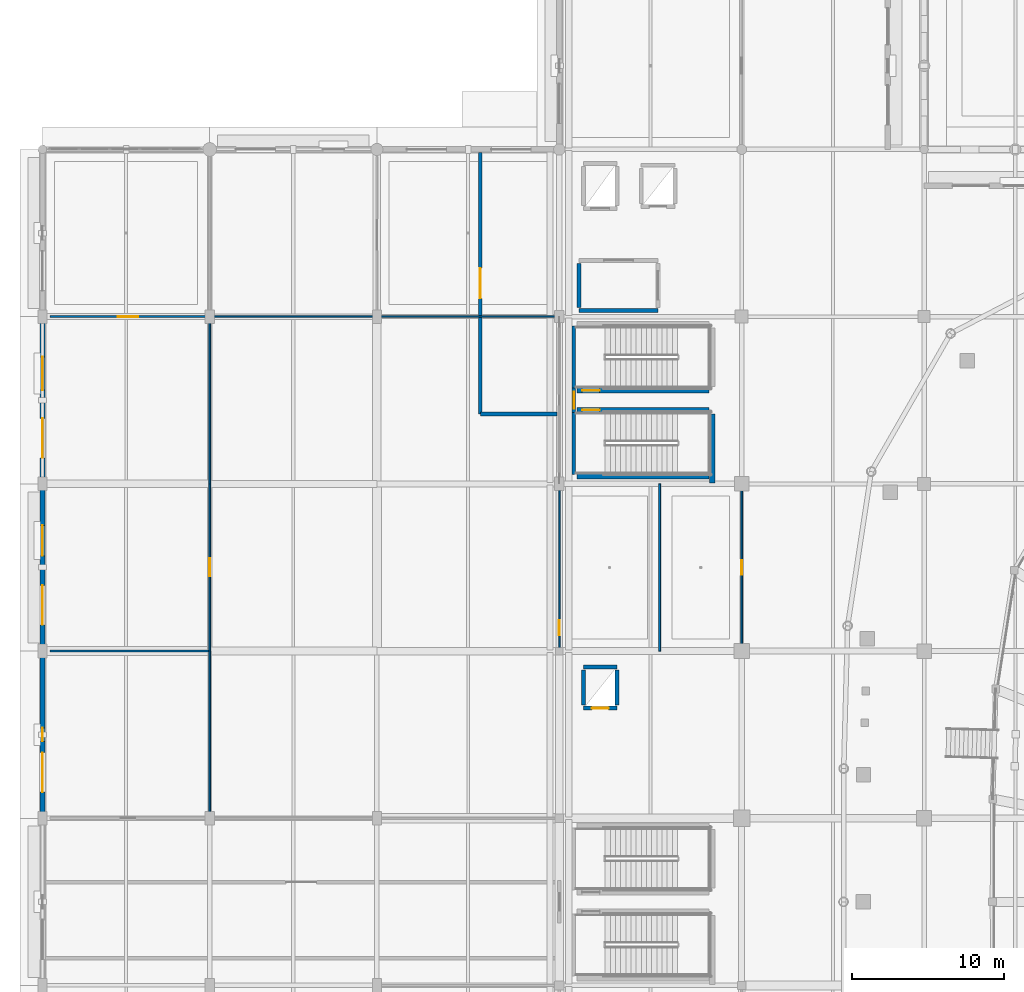
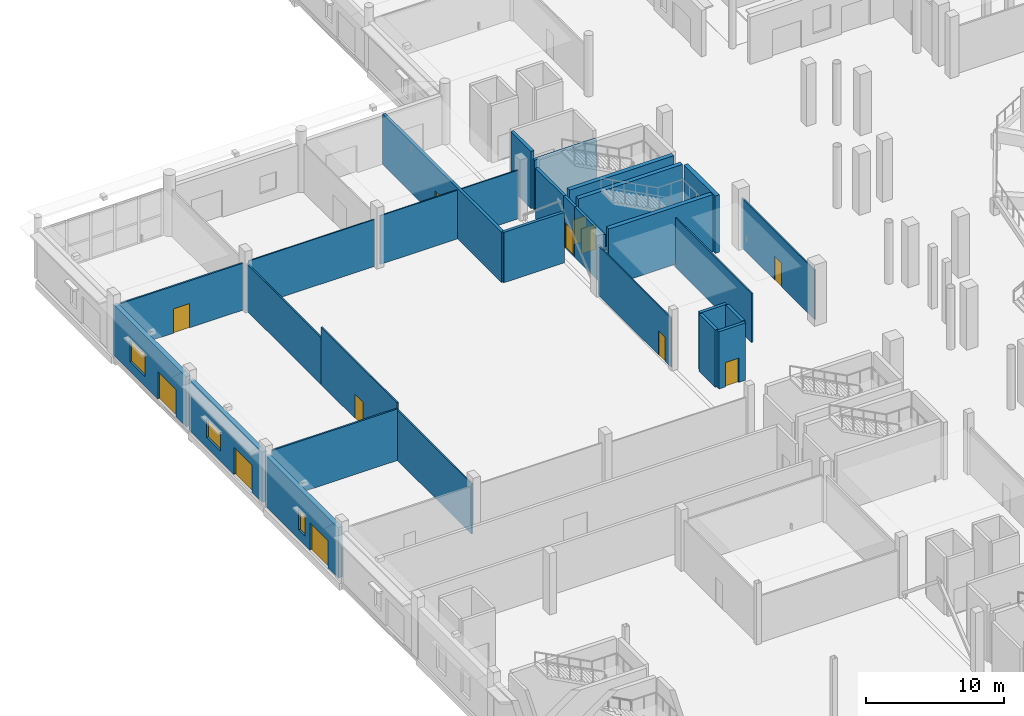
# One storey, part 59 of 120: 28 walls, 12 doors, 3 windows, 15 openings.
"""IFC4 building model written with IfcOpenShell, lengths in metres."""

from ifc_helpers import new_model, si_unit, direction, frame, frame_2d, origin, place, context, subcontext, project, spatial, rectangle, extrude, material, layer, layer_set, type_object, element, fill, save


model = new_model("IFC4")

# Units and contexts
model_context = context("Model", 3, precision=1e-05, world=origin(), true_north=direction((0.0, 1.0)))
body_context = subcontext(model_context, "Body", "Model", "MODEL_VIEW")
ifc_project = project(units=[si_unit("LENGTHUNIT", "METRE"), si_unit("AREAUNIT", "SQUARE_METRE"), si_unit("VOLUMEUNIT", "CUBIC_METRE"), si_unit("PLANEANGLEUNIT", "RADIAN"), si_unit("MASSUNIT", "GRAM", prefix="KILO")], contexts=[model_context])

# Site, building, storey
site_placement = place(None, origin())
site = spatial("IfcSite", under=ifc_project, at=site_placement, CompositionType="ELEMENT")
building_placement = place(site_placement, origin())
building = spatial("IfcBuilding", under=site, at=building_placement, Name="Luwafu Chhajja Arena", CompositionType="ELEMENT")
storey_placement = place(building_placement, origin())
storey = spatial("IfcBuildingStorey", under=building, at=storey_placement, Name="L00", CompositionType="ELEMENT", Elevation=0.0)

# Wall, opening, door
ifc_material_1 = material(Name="Concrete blockwork masonry", Category="masonry")
ifc_layer_1 = layer(ifc_material_1, 0.239990234375, Name="Concrete blockwork masonry")
ifc_layer_set_1 = layer_set([ifc_layer_1], Name="Concrete blockwork masonry")
wall_type_1 = type_object("IfcWallType", Name="Compartment Masonry Partition 240", PredefinedType="PARTITIONING", material=ifc_layer_set_1)
wall_1_placement = place(storey_placement, frame((28.800048828125, 81.60009765625, 0.0), z_axis=(0.0, 0.0, 1.0), x_axis=(0.0, 1.0, 0.0)))
wall_1 = element("IfcWall", 1, at=wall_1_placement, inside=storey, type_object=wall_type_1, Name="L00 Protected Exit Passageway EI 120 Wall WXP-C3-W", PredefinedType="PARTITIONING", context=body_context, shape_type="SweptSolid", body=[
    extrude(rectangle(XDim=17.199951171875, YDim=0.239990234375, at=frame_2d((8.60009765625, 0.0))), origin(), (0.0, 0.0, 1.0), 4.449951171875),
])
opening_1_placement = place(wall_1_placement, frame((7.60009765625, 0.0, 0.0)))
opening_1 = element("IfcOpeningElement", 2, at=opening_1_placement, cuts=wall_1, Name="Opening DR-08", PredefinedType="OPENING", context=body_context, shape_type="SweptSolid", body=[
    extrude(rectangle(XDim=2.0, YDim=2.25, at=frame_2d((1.0, 1.125))), frame((0.0, 0.1298828125, 0.0), z_axis=(0.0, -1.0, 0.0), x_axis=(1.0, 0.0, 0.0)), (0.0, 0.0, 1.0), 0.260009765625),
])
ifc_material_2 = material(Name="Fire-rated hardwood double leaf", Category="wood")
door_type_1 = type_object("IfcDoorType", Name="DR-08", OperationType="DOUBLE_DOOR_SINGLE_SWING", PredefinedType="DOOR", material=ifc_material_2)
door_1_placement = place(opening_1_placement, origin())
door_1 = element("IfcDoor", 3, at=door_1_placement, inside=storey, type_object=door_type_1, Name="L00 Protected Exit Passageway Fire Door L00-D069", OperationType="DOUBLE_DOOR_SINGLE_SWING", OverallHeight=2.25, OverallWidth=2.0, PredefinedType="DOOR", context=body_context, shape_type="SweptSolid", body=[
    extrude(rectangle(XDim=2.0, YDim=2.25, at=frame_2d((1.0, 1.125))), frame((0.0, 0.02490234375, 0.0), z_axis=(0.0, -1.0, 0.0), x_axis=(1.0, 0.0, 0.0)), (0.0, 0.0, 1.0), 0.050048828125),
])
fill(opening_1, door_1)

# Wall
wall_2_placement = place(storey_placement, frame((28.800048828125, 81.60009765625, 0.0), z_axis=(0.0, 0.0, 1.0), x_axis=(1.0, 0.0, 0.0)))
element("IfcWall", 4, at=wall_2_placement, inside=storey, type_object=wall_type_1, Name="L00 Protected Exit Passageway EI 120 Wall WXP-C3-S", PredefinedType="PARTITIONING", context=body_context, shape_type="SweptSolid", body=[
    extrude(rectangle(XDim=5.050048828125, YDim=0.239990234375, at=frame_2d((2.52490234375, 0.0))), origin(), (0.0, 0.0, 1.0), 4.449951171875),
])

# Wall, opening, door
wall_3_placement = place(storey_placement, frame((34.9599609375, 81.7099609375, 0.0), z_axis=(0.0, 0.0, 1.0), x_axis=(0.0, 1.0, 0.0)))
wall_3 = element("IfcWall", 5, at=wall_3_placement, inside=storey, type_object=wall_type_1, Name="L00 Protected Exit Corridor Mouth Wall WXP-M-C3", PredefinedType="PARTITIONING", context=body_context, shape_type="SweptSolid", body=[
    extrude(rectangle(XDim=1.580078125, YDim=0.239990234375, at=frame_2d((0.7900390625, 0.0))), origin(), (0.0, 0.0, 1.0), 4.449951171875),
])
opening_2_placement = place(wall_3_placement, frame((0.215087890625, 0.0, 0.0)))
opening_2 = element("IfcOpeningElement", 6, at=opening_2_placement, cuts=wall_3, Name="Opening DR-06", PredefinedType="OPENING", context=body_context, shape_type="SweptSolid", body=[
    extrude(rectangle(XDim=1.14990234375, YDim=2.199951171875, at=frame_2d((0.574951171875, 1.10009765625))), frame((0.0, 0.1298828125, 0.0), z_axis=(0.0, -1.0, 0.0), x_axis=(1.0, 0.0, 0.0)), (0.0, 0.0, 1.0), 0.260009765625),
])
ifc_material_3 = material(Name="Fire-rated hardwood and steel core", Category="steel")
door_type_2 = type_object("IfcDoorType", Name="DR-06", OperationType="NOTDEFINED", PredefinedType="DOOR", material=ifc_material_3)
door_2_placement = place(opening_2_placement, origin())
door_2 = element("IfcDoor", 7, at=door_2_placement, inside=storey, type_object=door_type_2, Name="L00 Protected Exit Corridor Fire Door L00-D081", OperationType="SINGLE_SWING_LEFT", OverallHeight=2.199951171875, OverallWidth=1.14990234375, PredefinedType="DOOR", context=body_context, shape_type="SweptSolid", body=[
    extrude(rectangle(XDim=1.14990234375, YDim=2.199951171875, at=frame_2d((0.574951171875, 1.10009765625))), frame((0.0, 0.02490234375, 0.0), z_axis=(0.0, -1.0, 0.0), x_axis=(1.0, 0.0, 0.0)), (0.0, 0.0, 1.0), 0.050048828125),
])
fill(opening_2, door_2)

# Wall
ifc_material_4 = material(Name="Lightweight blockwork partition", Category="masonry")
ifc_layer_2 = layer(ifc_material_4, 0.139892578125, Name="Lightweight blockwork partition")
ifc_layer_set_2 = layer_set([ifc_layer_2], Name="Lightweight blockwork partition")
wall_type_2 = type_object("IfcWallType", Name="Concourse Kiosk Partition 140", PredefinedType="PARTITIONING", material=ifc_layer_set_2)
wall_4_placement = place(storey_placement, frame((0.47998046875, 66.0, 0.0), z_axis=(0.0, 0.0, 1.0), x_axis=(1.0, 0.0, 0.0)))
element("IfcWall", 8, at=wall_4_placement, inside=storey, type_object=wall_type_2, Name="L00 Internal Partition 0146", PredefinedType="PARTITIONING", context=body_context, shape_type="SweptSolid", body=[
    extrude(rectangle(XDim=10.52001953125, YDim=0.139892578125, at=frame_2d((5.260009765625, 0.0))), origin(), (0.0, 0.0, 1.0), 4.550048828125),
])

# Wall, opening, door
wall_5_placement = place(storey_placement, frame((0.47998046875, 88.0, 0.0), z_axis=(0.0, 0.0, 1.0), x_axis=(1.0, 0.0, 0.0)))
wall_5 = element("IfcWall", 9, at=wall_5_placement, inside=storey, type_object=wall_type_2, Name="L00 Internal Partition 0147", PredefinedType="PARTITIONING", context=body_context, shape_type="SweptSolid", body=[
    extrude(rectangle(XDim=10.300048828125, YDim=0.139892578125, at=frame_2d((5.14990234375, 0.0))), origin(), (0.0, 0.0, 1.0), 4.14990234375),
])
opening_3_placement = place(wall_5_placement, frame((4.47998046875, 0.0, 0.0)))
opening_3 = element("IfcOpeningElement", 10, at=opening_3_placement, cuts=wall_5, Name="Opening DR-26", PredefinedType="OPENING", context=body_context, shape_type="SweptSolid", body=[
    extrude(rectangle(XDim=1.340087890625, YDim=2.14990234375, at=frame_2d((0.669921875, 1.074951171875))), frame((0.0, 0.079833984375, 0.0), z_axis=(0.0, -1.0, 0.0), x_axis=(1.0, 0.0, 0.0)), (0.0, 0.0, 1.0), 0.159912109375),
])
ifc_material_5 = material(Name="Hardwood service leaf", Category="wood")
door_type_3 = type_object("IfcDoorType", Name="DR-26", OperationType="NOTDEFINED", PredefinedType="DOOR", material=ifc_material_5)
door_3_placement = place(opening_3_placement, origin())
door_3 = element("IfcDoor", 11, at=door_3_placement, inside=storey, type_object=door_type_3, Name="L00 Interior Door L00-D031", OperationType="SINGLE_SWING_RIGHT", OverallHeight=2.14990234375, OverallWidth=1.340087890625, PredefinedType="DOOR", context=body_context, shape_type="SweptSolid", body=[
    extrude(rectangle(XDim=1.340087890625, YDim=2.14990234375, at=frame_2d((0.669921875, 1.074951171875))), frame((0.0, 0.02490234375, 0.0), z_axis=(0.0, -1.0, 0.0), x_axis=(1.0, 0.0, 0.0)), (0.0, 0.0, 1.0), 0.050048828125),
])
fill(opening_3, door_3)

# Walls
ifc_material_6 = material(Name="Gypsum plasterboard partition")
ifc_layer_3 = layer(ifc_material_6, 0.10009765625, Name="Gypsum plasterboard partition")
ifc_layer_set_3 = layer_set([ifc_layer_3], Name="Gypsum plasterboard partition")
wall_type_3 = type_object("IfcWallType", Name="Drywall Lining Partition 100", PredefinedType="PARTITIONING", material=ifc_layer_set_3)
wall_6_placement = place(storey_placement, frame((11.219970703125, 88.0, 0.0), z_axis=(0.0, 0.0, 1.0), x_axis=(1.0, 0.0, 0.0)))
element("IfcWall", 12, at=wall_6_placement, inside=storey, type_object=wall_type_3, Name="L00 Internal Partition 0143", PredefinedType="PARTITIONING", context=body_context, shape_type="SweptSolid", body=[
    extrude(rectangle(XDim=10.56005859375, YDim=0.10009765625, at=frame_2d((5.280029296875, 0.0))), origin(), (0.0, 0.0, 1.0), 4.14990234375),
])
wall_7_placement = place(storey_placement, frame((22.219970703125, 88.0, 0.0), z_axis=(0.0, 0.0, 1.0), x_axis=(1.0, 0.0, 0.0)))
element("IfcWall", 13, at=wall_7_placement, inside=storey, type_object=wall_type_3, Name="L00 Internal Partition 0196", PredefinedType="PARTITIONING", context=body_context, shape_type="SweptSolid", body=[
    extrude(rectangle(XDim=11.56005859375, YDim=0.10009765625, at=frame_2d((5.780029296875, 0.0))), origin(), (0.0, 0.0, 1.0), 4.300048828125),
])

# Wall, opening, door
wall_8_placement = place(storey_placement, frame((34.0, 66.2099609375, 0.0), z_axis=(0.0, 0.0, 1.0), x_axis=(0.0, 1.0, 0.0)))
wall_8 = element("IfcWall", 14, at=wall_8_placement, inside=storey, type_object=wall_type_3, Name="L00 Internal Partition 0197", PredefinedType="PARTITIONING", context=body_context, shape_type="SweptSolid", body=[
    extrude(rectangle(XDim=10.570068359375, YDim=0.10009765625, at=frame_2d((5.28515625, 0.0))), origin(), (0.0, 0.0, 1.0), 4.35009765625),
])
opening_4_placement = place(wall_8_placement, frame((0.84130859375, 0.0, 0.0)))
opening_4 = element("IfcOpeningElement", 15, at=opening_4_placement, cuts=wall_8, Name="Opening DR-22", PredefinedType="OPENING", context=body_context, shape_type="SweptSolid", body=[
    extrude(rectangle(XDim=0.9599609375, YDim=2.14990234375, at=frame_2d((0.47998046875, 1.074951171875))), frame((0.0, 0.06005859375, 0.0), z_axis=(0.0, -1.0, 0.0), x_axis=(1.0, 0.0, 0.0)), (0.0, 0.0, 1.0), 0.1201171875),
])
ifc_material_7 = material(Name="Hardwood flush office door", Category="wood")
door_type_4 = type_object("IfcDoorType", Name="DR-22", OperationType="NOTDEFINED", PredefinedType="DOOR", material=ifc_material_7)
door_4_placement = place(opening_4_placement, origin())
door_4 = element("IfcDoor", 16, at=door_4_placement, inside=storey, type_object=door_type_4, Name="L00 Interior Door L00-D062", OperationType="SINGLE_SWING_RIGHT", OverallHeight=2.14990234375, OverallWidth=0.9599609375, PredefinedType="DOOR", context=body_context, shape_type="SweptSolid", body=[
    extrude(rectangle(XDim=0.9599609375, YDim=2.14990234375, at=frame_2d((0.47998046875, 1.074951171875))), frame((0.0, 0.02490234375, 0.0), z_axis=(0.0, -1.0, 0.0), x_axis=(1.0, 0.0, 0.0)), (0.0, 0.0, 1.0), 0.050048828125),
])
fill(opening_4, door_4)

# Walls
ifc_material_8 = material(Name="Concrete C40/50", Category="concrete")
ifc_layer_4 = layer(ifc_material_8, 0.260009765625, Name="Concrete C40/50")
ifc_layer_set_4 = layer_set([ifc_layer_4], Name="Concrete C40/50")
wall_type_4 = type_object("IfcWallType", Name="Firefighting Lobby Wall 260", PredefinedType="SOLIDWALL", material=ifc_layer_set_4)
wall_9_placement = place(storey_placement, frame((35.300048828125, 88.39990234375, 0.0), z_axis=(0.0, 0.0, 1.0), x_axis=(1.0, 0.0, 0.0)))
element("IfcWall", 17, at=wall_9_placement, inside=storey, type_object=wall_type_4, Name="L00 Core C3 Firefighting Lobby Wall S", PredefinedType="SOLIDWALL", context=body_context, shape_type="SweptSolid", body=[
    extrude(rectangle(XDim=5.199951171875, YDim=0.260009765625, at=frame_2d((2.60009765625, 0.0))), origin(), (0.0, 0.0, 1.0), 4.437744140625),
])
wall_10_placement = place(storey_placement, frame((35.300048828125, 88.60009765625, 0.0), z_axis=(0.0, 0.0, 1.0), x_axis=(0.0, 1.0, 0.0)))
element("IfcWall", 18, at=wall_10_placement, inside=storey, type_object=wall_type_4, Name="L00 Core C3 Firefighting Lobby Wall W", PredefinedType="SOLIDWALL", context=body_context, shape_type="SweptSolid", body=[
    extrude(rectangle(XDim=2.89990234375, YDim=0.260009765625, at=frame_2d((1.449951171875, 0.0))), origin(), (0.0, 0.0, 1.0), 5.06005859375),
])

# Wall, opening, door
ifc_material_9 = material(Name="Acoustic metal-stud gypsum board")
ifc_layer_5 = layer(ifc_material_9, 0.1201171875, Name="Acoustic metal-stud gypsum board")
ifc_layer_set_5 = layer_set([ifc_layer_5], Name="Acoustic metal-stud gypsum board")
wall_type_5 = type_object("IfcWallType", Name="Internal Room Partition 120", PredefinedType="PARTITIONING", material=ifc_layer_set_5)
wall_11_placement = place(storey_placement, frame((11.0, 66.0, 0.0), z_axis=(0.0, 0.0, 1.0), x_axis=(0.0, 1.0, 0.0)))
wall_11 = element("IfcWall", 19, at=wall_11_placement, inside=storey, type_object=wall_type_5, Name="L00 Internal Partition 0140", PredefinedType="PARTITIONING", context=body_context, shape_type="SweptSolid", body=[
    extrude(rectangle(XDim=11.0, YDim=0.1201171875, at=frame_2d((5.5, 0.0))), origin(), (0.0, 0.0, 1.0), 5.06005859375),
])
opening_5_placement = place(wall_11_placement, frame((4.909912109375, 0.0, 0.0)))
opening_5 = element("IfcOpeningElement", 20, at=opening_5_placement, cuts=wall_11, Name="Opening DR-21", PredefinedType="OPENING", context=body_context, shape_type="SweptSolid", body=[
    extrude(rectangle(XDim=1.179931640625, YDim=2.14990234375, at=frame_2d((0.58984375, 1.074951171875))), frame((0.0, 0.070068359375, 0.0), z_axis=(0.0, -1.0, 0.0), x_axis=(1.0, 0.0, 0.0)), (0.0, 0.0, 1.0), 0.14013671875),
])
ifc_material_10 = material(Name="Hygienic laminate single leaf")
door_type_5 = type_object("IfcDoorType", Name="DR-21", OperationType="NOTDEFINED", PredefinedType="DOOR", material=ifc_material_10)
door_5_placement = place(opening_5_placement, origin())
door_5 = element("IfcDoor", 21, at=door_5_placement, inside=storey, type_object=door_type_5, Name="L00 Interior Door L00-D029", OperationType="SINGLE_SWING_RIGHT", OverallHeight=2.14990234375, OverallWidth=1.179931640625, PredefinedType="DOOR", context=body_context, shape_type="SweptSolid", body=[
    extrude(rectangle(XDim=1.179931640625, YDim=2.14990234375, at=frame_2d((0.58984375, 1.074951171875))), frame((0.0, 0.02490234375, 0.0), z_axis=(0.0, -1.0, 0.0), x_axis=(1.0, 0.0, 0.0)), (0.0, 0.0, 1.0), 0.050048828125),
])
fill(opening_5, door_5)

# Wall
wall_12_placement = place(storey_placement, frame((11.0, 77.0, 0.0), z_axis=(0.0, 0.0, 1.0), x_axis=(0.0, 1.0, 0.0)))
element("IfcWall", 22, at=wall_12_placement, inside=storey, type_object=wall_type_5, Name="L00 Internal Partition 0141", PredefinedType="PARTITIONING", context=body_context, shape_type="SweptSolid", body=[
    extrude(rectangle(XDim=10.780029296875, YDim=0.1201171875, at=frame_2d((5.39013671875, 0.0))), origin(), (0.0, 0.0, 1.0), 4.14990234375),
])

# Wall, opening, door
wall_13_placement = place(storey_placement, frame((46.0, 66.219970703125, 0.0), z_axis=(0.0, 0.0, 1.0), x_axis=(0.0, 1.0, 0.0)))
wall_13 = element("IfcWall", 23, at=wall_13_placement, inside=storey, type_object=wall_type_5, Name="L00 Internal Partition 0158", PredefinedType="PARTITIONING", context=body_context, shape_type="SweptSolid", body=[
    extrude(rectangle(XDim=10.56005859375, YDim=0.1201171875, at=frame_2d((5.280029296875, 0.0))), origin(), (0.0, 0.0, 1.0), 4.35009765625),
])
opening_6_placement = place(wall_13_placement, frame((4.7900390625, 0.0, 0.0)))
opening_6 = element("IfcOpeningElement", 24, at=opening_6_placement, cuts=wall_13, Name="Opening DR-27", PredefinedType="OPENING", context=body_context, shape_type="SweptSolid", body=[
    extrude(rectangle(XDim=0.97998046875, YDim=2.10009765625, at=frame_2d((0.489990234375, 1.050048828125))), frame((0.0, 0.070068359375, 0.0), z_axis=(0.0, -1.0, 0.0), x_axis=(1.0, 0.0, 0.0)), (0.0, 0.0, 1.0), 0.14013671875),
])
ifc_material_11 = material(Name="Moisture-resistant laminate leaf")
door_type_6 = type_object("IfcDoorType", Name="DR-27", OperationType="NOTDEFINED", PredefinedType="DOOR", material=ifc_material_11)
door_6_placement = place(opening_6_placement, origin())
door_6 = element("IfcDoor", 25, at=door_6_placement, inside=storey, type_object=door_type_6, Name="L00 Interior Door L00-D039", OperationType="SINGLE_SWING_LEFT", OverallHeight=2.10009765625, OverallWidth=0.97998046875, PredefinedType="DOOR", context=body_context, shape_type="SweptSolid", body=[
    extrude(rectangle(XDim=0.97998046875, YDim=2.10009765625, at=frame_2d((0.489990234375, 1.050048828125))), frame((0.0, 0.02490234375, 0.0), z_axis=(0.0, -1.0, 0.0), x_axis=(1.0, 0.0, 0.0)), (0.0, 0.0, 1.0), 0.050048828125),
])
fill(opening_6, door_6)

# Walls
wall_14_placement = place(storey_placement, frame((11.0, 55.219970703125, 0.0), z_axis=(0.0, 0.0, 1.0), x_axis=(0.0, 1.0, 0.0)))
element("IfcWall", 26, at=wall_14_placement, inside=storey, type_object=wall_type_5, Name="L00 Internal Partition 0195", PredefinedType="PARTITIONING", context=body_context, shape_type="SweptSolid", body=[
    extrude(rectangle(XDim=10.780029296875, YDim=0.1201171875, at=frame_2d((5.39013671875, 0.0))), origin(), (0.0, 0.0, 1.0), 4.437744140625),
])
wall_15_placement = place(storey_placement, frame((40.60009765625, 66.0, 0.0), z_axis=(0.0, 0.0, 1.0), x_axis=(0.0, 1.0, 0.0)))
element("IfcWall", 27, at=wall_15_placement, inside=storey, type_object=wall_type_5, Name="L00 Internal Partition 0202", PredefinedType="PARTITIONING", context=body_context, shape_type="SweptSolid", body=[
    extrude(rectangle(XDim=11.0, YDim=0.1201171875, at=frame_2d((5.5, 0.0))), origin(), (0.0, 0.0, 1.0), 4.35009765625),
])

# Wall, opening, door
ifc_material_12 = material(Name="Concrete C35/45", Category="concrete")
ifc_layer_6 = layer(ifc_material_12, 0.260009765625, Name="Concrete C35/45")
ifc_layer_set_6 = layer_set([ifc_layer_6], Name="Concrete C35/45")
wall_type_6 = type_object("IfcWallType", Name="Lift and Riser Shaft Wall 260", PredefinedType="SOLIDWALL", material=ifc_layer_set_6)
wall_16_placement = place(storey_placement, frame((35.590087890625, 62.239990234375, 0.0), z_axis=(0.0, 0.0, 1.0), x_axis=(1.0, 0.0, 0.0)))
wall_16 = element("IfcWall", 28, at=wall_16_placement, inside=storey, type_object=wall_type_6, Name="L00 Lift LF-09 Shaft Wall S", PredefinedType="SOLIDWALL", context=body_context, shape_type="SweptSolid", body=[
    extrude(rectangle(XDim=2.219970703125, YDim=0.260009765625, at=frame_2d((1.10986328125, 0.0))), origin(), (0.0, 0.0, 1.0), 5.06005859375),
])
opening_7_placement = place(wall_16_placement, frame((0.56005859375, 0.0, 0.0)))
opening_7 = element("IfcOpeningElement", 29, at=opening_7_placement, cuts=wall_16, Name="Opening LD-01", PredefinedType="OPENING", context=body_context, shape_type="SweptSolid", body=[
    extrude(rectangle(XDim=1.10009765625, YDim=2.14990234375, at=frame_2d((0.550048828125, 1.074951171875))), frame((0.0, 0.139892578125, 0.0), z_axis=(0.0, -1.0, 0.0), x_axis=(1.0, 0.0, 0.0)), (0.0, 0.0, 1.0), 0.280029296875),
])
ifc_material_13 = material(Name="Brushed stainless steel sliding leaves", Category="steel")
door_type_7 = type_object("IfcDoorType", Name="LD-01", OperationType="SLIDING_TO_LEFT", PredefinedType="DOOR", material=ifc_material_13)
door_7_placement = place(opening_7_placement, origin())
door_7 = element("IfcDoor", 30, at=door_7_placement, inside=storey, type_object=door_type_7, Name="L00 Lift LF-09 Landing Door L00-LD09", OperationType="SLIDING_TO_LEFT", OverallHeight=2.14990234375, OverallWidth=1.10009765625, PredefinedType="DOOR", context=body_context, shape_type="SweptSolid", body=[
    extrude(rectangle(XDim=1.10009765625, YDim=2.14990234375, at=frame_2d((0.550048828125, 1.074951171875))), frame((0.0, 0.02490234375, 0.0), z_axis=(0.0, -1.0, 0.0), x_axis=(1.0, 0.0, 0.0)), (0.0, 0.0, 1.0), 0.050048828125),
])
fill(opening_7, door_7)

# Walls
wall_17_placement = place(storey_placement, frame((35.590087890625, 64.9599609375, 0.0), z_axis=(0.0, 0.0, 1.0), x_axis=(1.0, 0.0, 0.0)))
element("IfcWall", 31, at=wall_17_placement, inside=storey, type_object=wall_type_6, Name="L00 Lift LF-09 Shaft Wall N", PredefinedType="SOLIDWALL", context=body_context, shape_type="SweptSolid", body=[
    extrude(rectangle(XDim=2.219970703125, YDim=0.260009765625, at=frame_2d((1.10986328125, 0.0))), origin(), (0.0, 0.0, 1.0), 5.06005859375),
])
for number, where, z_axis, x_axis, name in (
    (32, (35.590087890625, 62.43994140625, 0.0), (0.0, 0.0, 1.0), (0.0, 1.0, 0.0), "L00 Lift LF-09 Shaft Wall W"),
    (33, (37.81005859375, 62.43994140625, 0.0), (0.0, 0.0, 1.0), (0.0, 1.0, 0.0), "L00 Lift LF-09 Shaft Wall E"),
):
    element("IfcWall", number, at=place(storey_placement, frame(where, z_axis=z_axis, x_axis=x_axis)), inside=storey, type_object=wall_type_6, Name=name, PredefinedType="SOLIDWALL", context=body_context, shape_type="SweptSolid", body=[
        extrude(rectangle(XDim=2.320068359375, YDim=0.260009765625, at=frame_2d((1.16015625, 0.0))), origin(), (0.0, 0.0, 1.0), 5.06005859375),
    ])
ifc_layer_7 = layer(ifc_material_8, 0.35009765625, Name="Concrete C40/50")
ifc_layer_set_7 = layer_set([ifc_layer_7], Name="Concrete C40/50")
wall_type_7 = type_object("IfcWallType", Name="RC Core Shear Wall 350", PredefinedType="SOLIDWALL", material=ifc_layer_set_7)
wall_18_placement = place(storey_placement, frame((44.072021484375, 77.050048828125, 0.0), z_axis=(0.0, 0.0, 1.0), x_axis=(0.0, 1.0, 0.0)))
element("IfcWall", 34, at=wall_18_placement, inside=storey, type_object=wall_type_7, Name="L00 Stair ST-05 Core Shear Wall E", PredefinedType="SOLIDWALL", context=body_context, shape_type="SweptSolid", body=[
    extrude(rectangle(XDim=4.5400390625, YDim=0.35009765625, at=frame_2d((2.27001953125, 0.0))), origin(), (0.0, 0.0, 1.0), 5.06005859375),
])
wall_19_placement = place(storey_placement, frame((35.14990234375, 77.47802734375, 0.0), z_axis=(0.0, 0.0, 1.0), x_axis=(1.0, 0.0, 0.0)))
element("IfcWall", 35, at=wall_19_placement, inside=storey, type_object=wall_type_7, Name="L00 Stair ST-05 Core Shear Wall S", PredefinedType="SOLIDWALL", context=body_context, shape_type="SweptSolid", body=[
    extrude(rectangle(XDim=8.7001953125, YDim=0.35009765625, at=frame_2d((4.35009765625, 0.0))), origin(), (0.0, 0.0, 1.0), 5.06005859375),
])

# Wall, opening, door
wall_20_placement = place(storey_placement, frame((35.14990234375, 81.862060546875, 0.0), z_axis=(0.0, 0.0, 1.0), x_axis=(1.0, 0.0, 0.0)))
wall_20 = element("IfcWall", 36, at=wall_20_placement, inside=storey, type_object=wall_type_7, Name="L00 Stair ST-05 Core Shear Wall N", PredefinedType="SOLIDWALL", context=body_context, shape_type="SweptSolid", body=[
    extrude(rectangle(XDim=8.7001953125, YDim=0.35009765625, at=frame_2d((4.35009765625, 0.0))), origin(), (0.0, 0.0, 1.0), 5.06005859375),
])
opening_8_placement = place(wall_20_placement, frame((0.35009765625, 0.0, 0.0)))
opening_8 = element("IfcOpeningElement", 37, at=opening_8_placement, cuts=wall_20, Name="Opening DR-06", PredefinedType="OPENING", context=body_context, shape_type="SweptSolid", body=[
    extrude(rectangle(XDim=1.14990234375, YDim=2.199951171875, at=frame_2d((0.574951171875, 1.10009765625))), frame((0.0, 0.18505859375, 0.0), z_axis=(0.0, -1.0, 0.0), x_axis=(1.0, 0.0, 0.0)), (0.0, 0.0, 1.0), 0.3701171875),
])
door_8_placement = place(opening_8_placement, origin())
door_8 = element("IfcDoor", 38, at=door_8_placement, inside=storey, type_object=door_type_2, Name="L00 Escape Stair ST-05 Fire Door L00-D009", OperationType="SINGLE_SWING_RIGHT", OverallHeight=2.199951171875, OverallWidth=1.14990234375, PredefinedType="DOOR", context=body_context, shape_type="SweptSolid", body=[
    extrude(rectangle(XDim=1.14990234375, YDim=2.199951171875, at=frame_2d((0.574951171875, 1.10009765625))), frame((0.0, 0.02490234375, 0.0), z_axis=(0.0, -1.0, 0.0), x_axis=(1.0, 0.0, 0.0)), (0.0, 0.0, 1.0), 0.050048828125),
])
fill(opening_8, door_8)

wall_21_placement = place(storey_placement, frame((35.14990234375, 83.137939453125, 0.0), z_axis=(0.0, 0.0, 1.0), x_axis=(1.0, 0.0, 0.0)))
wall_21 = element("IfcWall", 39, at=wall_21_placement, inside=storey, type_object=wall_type_7, Name="L00 Stair ST-06 Core Shear Wall S", PredefinedType="SOLIDWALL", context=body_context, shape_type="SweptSolid", body=[
    extrude(rectangle(XDim=8.7001953125, YDim=0.35009765625, at=frame_2d((4.35009765625, 0.0))), origin(), (0.0, 0.0, 1.0), 5.06005859375),
])
opening_9_placement = place(wall_21_placement, frame((0.35009765625, 0.0, 0.0)))
opening_9 = element("IfcOpeningElement", 40, at=opening_9_placement, cuts=wall_21, Name="Opening DR-06", PredefinedType="OPENING", context=body_context, shape_type="SweptSolid", body=[
    extrude(rectangle(XDim=1.14990234375, YDim=2.199951171875, at=frame_2d((0.574951171875, 1.10009765625))), frame((0.0, 0.18505859375, 0.0), z_axis=(0.0, -1.0, 0.0), x_axis=(1.0, 0.0, 0.0)), (0.0, 0.0, 1.0), 0.3701171875),
])
door_9_placement = place(opening_9_placement, origin())
door_9 = element("IfcDoor", 41, at=door_9_placement, inside=storey, type_object=door_type_2, Name="L00 Escape Stair ST-06 Fire Door L00-D010", OperationType="SINGLE_SWING_LEFT", OverallHeight=2.199951171875, OverallWidth=1.14990234375, PredefinedType="DOOR", context=body_context, shape_type="SweptSolid", body=[
    extrude(rectangle(XDim=1.14990234375, YDim=2.199951171875, at=frame_2d((0.574951171875, 1.10009765625))), frame((0.0, 0.02490234375, 0.0), z_axis=(0.0, -1.0, 0.0), x_axis=(1.0, 0.0, 0.0)), (0.0, 0.0, 1.0), 0.050048828125),
])
fill(opening_9, door_9)

# Wall, openings, window, door
ifc_layer_8 = layer(ifc_material_12, 0.360107421875, Name="Concrete C35/45")
ifc_layer_set_8 = layer_set([ifc_layer_8], Name="Concrete C35/45")
wall_type_8 = type_object("IfcWallType", Name="Sandstone Backed Exterior Wall 360", PredefinedType="SOLIDWALL", material=ifc_layer_set_8)
wall_22_placement = place(storey_placement, frame((0.0, 55.219970703125, 0.0), z_axis=(0.0, 0.0, 1.0), x_axis=(0.0, 1.0, 0.0)))
wall_22 = element("IfcWall", 42, at=wall_22_placement, inside=storey, type_object=wall_type_8, Name="L00 Exterior Wall WEX-L00-060", PredefinedType="SOLIDWALL", context=body_context, shape_type="SweptSolid", body=[
    extrude(rectangle(XDim=10.56005859375, YDim=0.360107421875, at=frame_2d((5.280029296875, 0.0))), origin(), (0.0, 0.0, 1.0), 4.449951171875),
])
opening_10_placement = place(wall_22_placement, frame((1.49560546875, 0.0, 0.0)))
opening_10 = element("IfcOpeningElement", 43, at=opening_10_placement, cuts=wall_22, Name="Opening DR-01", PredefinedType="OPENING", context=body_context, shape_type="SweptSolid", body=[
    extrude(rectangle(XDim=2.60009765625, YDim=2.39990234375, at=frame_2d((1.300048828125, 1.199951171875))), frame((0.0, 0.18994140625, 0.0), z_axis=(0.0, -1.0, 0.0), x_axis=(1.0, 0.0, 0.0)), (0.0, 0.0, 1.0), 0.380126953125),
])
opening_11_placement = place(wall_22_placement, frame((4.830078125, 0.0, 0.800048828125)))
opening_11 = element("IfcOpeningElement", 44, at=opening_11_placement, cuts=wall_22, Name="Opening WN-16", PredefinedType="OPENING", context=body_context, shape_type="SweptSolid", body=[
    extrude(rectangle(XDim=0.89990234375, YDim=1.800048828125, at=frame_2d((0.449951171875, 0.89990234375))), frame((0.0, 0.18994140625, 0.0), z_axis=(0.0, -1.0, 0.0), x_axis=(1.0, 0.0, 0.0)), (0.0, 0.0, 1.0), 0.380126953125),
])
ifc_material_14 = material(Name="Solar-control laminated glass", Category="glass")
window_type_1 = type_object("IfcWindowType", Name="Stair Core Daylight Slot Window 900x1800", PartitioningType="SINGLE_PANEL", PredefinedType="WINDOW", material=ifc_material_14)
window_1_placement = place(opening_11_placement, origin())
window_1 = element("IfcWindow", 45, at=window_1_placement, inside=storey, type_object=window_type_1, Name="L00 Facade Window 261", OverallHeight=1.800048828125, OverallWidth=0.89990234375, PartitioningType="SINGLE_PANEL", PredefinedType="WINDOW", context=body_context, shape_type="SweptSolid", body=[
    extrude(rectangle(XDim=0.89990234375, YDim=1.800048828125, at=frame_2d((0.449951171875, 0.89990234375))), frame((0.0, 0.030029296875, 0.0), z_axis=(0.0, -1.0, 0.0), x_axis=(1.0, 0.0, 0.0)), (0.0, 0.0, 1.0), 0.06005859375),
])
fill(opening_11, window_1)
ifc_material_15 = material(Name="Anodised bronze aluminium and toughened glass", Category="aluminium")
door_type_8 = type_object("IfcDoorType", Name="DR-01", OperationType="DOUBLE_DOOR_SINGLE_SWING", PredefinedType="DOOR", material=ifc_material_15)
door_10_placement = place(opening_10_placement, origin())
door_10 = element("IfcDoor", 46, at=door_10_placement, inside=storey, type_object=door_type_8, Name="Stair Exit Discharge Door SX-04", OperationType="DOUBLE_DOOR_SINGLE_SWING", OverallHeight=2.39990234375, OverallWidth=2.60009765625, PredefinedType="DOOR", context=body_context, shape_type="SweptSolid", body=[
    extrude(rectangle(XDim=2.60009765625, YDim=2.39990234375, at=frame_2d((1.300048828125, 1.199951171875))), frame((0.0, 0.02490234375, 0.0), z_axis=(0.0, -1.0, 0.0), x_axis=(1.0, 0.0, 0.0)), (0.0, 0.0, 1.0), 0.050048828125),
])
fill(opening_10, door_10)

wall_23_placement = place(storey_placement, frame((0.0, 66.219970703125, 0.0), z_axis=(0.0, 0.0, 1.0), x_axis=(0.0, 1.0, 0.0)))
wall_23 = element("IfcWall", 47, at=wall_23_placement, inside=storey, type_object=wall_type_8, Name="L00 Exterior Wall WEX-L00-061", PredefinedType="SOLIDWALL", context=body_context, shape_type="SweptSolid", body=[
    extrude(rectangle(XDim=10.56005859375, YDim=0.360107421875, at=frame_2d((5.280029296875, 0.0))), origin(), (0.0, 0.0, 1.0), 4.449951171875),
])
opening_12_placement = place(wall_23_placement, frame((1.49560546875, 0.0, 0.0)))
opening_12 = element("IfcOpeningElement", 48, at=opening_12_placement, cuts=wall_23, Name="Opening DR-01", PredefinedType="OPENING", context=body_context, shape_type="SweptSolid", body=[
    extrude(rectangle(XDim=2.60009765625, YDim=2.39990234375, at=frame_2d((1.300048828125, 1.199951171875))), frame((0.0, 0.18994140625, 0.0), z_axis=(0.0, -1.0, 0.0), x_axis=(1.0, 0.0, 0.0)), (0.0, 0.0, 1.0), 0.380126953125),
])
opening_13_placement = place(wall_23_placement, frame((6.0400390625, 0.0, 0.89990234375)))
opening_13 = element("IfcOpeningElement", 49, at=opening_13_placement, cuts=wall_23, Name="Opening WN-10", PredefinedType="OPENING", context=body_context, shape_type="SweptSolid", body=[
    extrude(rectangle(XDim=2.0, YDim=1.64990234375, at=frame_2d((1.0, 0.824951171875))), frame((0.0, 0.18994140625, 0.0), z_axis=(0.0, -1.0, 0.0), x_axis=(1.0, 0.0, 0.0)), (0.0, 0.0, 1.0), 0.380126953125),
])
window_type_2 = type_object("IfcWindowType", Name="Community Classroom Window 2000x1650", PartitioningType="SINGLE_PANEL", PredefinedType="WINDOW", material=ifc_material_14)
window_2_placement = place(opening_13_placement, origin())
window_2 = element("IfcWindow", 50, at=window_2_placement, inside=storey, type_object=window_type_2, Name="L00 Facade Window 262", OverallHeight=1.64990234375, OverallWidth=2.0, PartitioningType="SINGLE_PANEL", PredefinedType="WINDOW", context=body_context, shape_type="SweptSolid", body=[
    extrude(rectangle(XDim=2.0, YDim=1.64990234375, at=frame_2d((1.0, 0.824951171875))), frame((0.0, 0.030029296875, 0.0), z_axis=(0.0, -1.0, 0.0), x_axis=(1.0, 0.0, 0.0)), (0.0, 0.0, 1.0), 0.06005859375),
])
fill(opening_13, window_2)
door_11_placement = place(opening_12_placement, origin())
door_11 = element("IfcDoor", 51, at=door_11_placement, inside=storey, type_object=door_type_8, Name="Stair Exit Discharge Door SX-05", OperationType="DOUBLE_DOOR_SINGLE_SWING", OverallHeight=2.39990234375, OverallWidth=2.60009765625, PredefinedType="DOOR", context=body_context, shape_type="SweptSolid", body=[
    extrude(rectangle(XDim=2.60009765625, YDim=2.39990234375, at=frame_2d((1.300048828125, 1.199951171875))), frame((0.0, 0.02490234375, 0.0), z_axis=(0.0, -1.0, 0.0), x_axis=(1.0, 0.0, 0.0)), (0.0, 0.0, 1.0), 0.050048828125),
])
fill(opening_12, door_11)

wall_24_placement = place(storey_placement, frame((0.0, 77.219970703125, 0.0), z_axis=(0.0, 0.0, 1.0), x_axis=(0.0, 1.0, 0.0)))
wall_24 = element("IfcWall", 52, at=wall_24_placement, inside=storey, type_object=wall_type_8, Name="L00 Exterior Wall WEX-L00-062", PredefinedType="SOLIDWALL", context=body_context, shape_type="SweptSolid", body=[
    extrude(rectangle(XDim=10.56005859375, YDim=0.360107421875, at=frame_2d((5.280029296875, 0.0))), origin(), (0.0, 0.0, 1.0), 4.449951171875),
])
opening_14_placement = place(wall_24_placement, frame((1.49560546875, 0.0, 0.0)))
opening_14 = element("IfcOpeningElement", 53, at=opening_14_placement, cuts=wall_24, Name="Opening DR-01", PredefinedType="OPENING", context=body_context, shape_type="SweptSolid", body=[
    extrude(rectangle(XDim=2.60009765625, YDim=2.39990234375, at=frame_2d((1.300048828125, 1.199951171875))), frame((0.0, 0.18994140625, 0.0), z_axis=(0.0, -1.0, 0.0), x_axis=(1.0, 0.0, 0.0)), (0.0, 0.0, 1.0), 0.380126953125),
])
opening_15_placement = place(wall_24_placement, frame((5.93994140625, 0.0, 0.85009765625)))
opening_15 = element("IfcOpeningElement", 54, at=opening_15_placement, cuts=wall_24, Name="Opening WN-11", PredefinedType="OPENING", context=body_context, shape_type="SweptSolid", body=[
    extrude(rectangle(XDim=2.199951171875, YDim=1.949951171875, at=frame_2d((1.10009765625, 0.97509765625))), frame((0.0, 0.18994140625, 0.0), z_axis=(0.0, -1.0, 0.0), x_axis=(1.0, 0.0, 0.0)), (0.0, 0.0, 1.0), 0.380126953125),
])
window_type_3 = type_object("IfcWindowType", Name="Pavilion Cafe Courtyard Window 2200x1950", PartitioningType="SINGLE_PANEL", PredefinedType="WINDOW", material=ifc_material_14)
window_3_placement = place(opening_15_placement, origin())
window_3 = element("IfcWindow", 55, at=window_3_placement, inside=storey, type_object=window_type_3, Name="L00 Facade Window 263", OverallHeight=1.949951171875, OverallWidth=2.199951171875, PartitioningType="SINGLE_PANEL", PredefinedType="WINDOW", context=body_context, shape_type="SweptSolid", body=[
    extrude(rectangle(XDim=2.199951171875, YDim=1.949951171875, at=frame_2d((1.10009765625, 0.97509765625))), frame((0.0, 0.030029296875, 0.0), z_axis=(0.0, -1.0, 0.0), x_axis=(1.0, 0.0, 0.0)), (0.0, 0.0, 1.0), 0.06005859375),
])
fill(opening_15, window_3)
door_12_placement = place(opening_14_placement, origin())
door_12 = element("IfcDoor", 56, at=door_12_placement, inside=storey, type_object=door_type_8, Name="Stair Exit Discharge Door SX-06", OperationType="DOUBLE_DOOR_SINGLE_SWING", OverallHeight=2.39990234375, OverallWidth=2.60009765625, PredefinedType="DOOR", context=body_context, shape_type="SweptSolid", body=[
    extrude(rectangle(XDim=2.60009765625, YDim=2.39990234375, at=frame_2d((1.300048828125, 1.199951171875))), frame((0.0, 0.02490234375, 0.0), z_axis=(0.0, -1.0, 0.0), x_axis=(1.0, 0.0, 0.0)), (0.0, 0.0, 1.0), 0.050048828125),
])
fill(opening_14, door_12)

# Walls
ifc_layer_9 = layer(ifc_material_12, 0.22998046875, Name="Concrete C35/45")
ifc_layer_set_9 = layer_set([ifc_layer_9], Name="Concrete C35/45")
wall_type_9 = type_object("IfcWallType", Name="Stair Enclosure Wall 230", PredefinedType="SOLIDWALL", material=ifc_layer_set_9)
for number, where, z_axis, x_axis, name in (
    (57, (34.9599609375, 77.6298828125, 0.0), (0.0, 0.0, 1.0), (0.0, 1.0, 0.0), "L00 Stair ST-05 Enclosure Wall W"),
    (58, (34.9599609375, 83.2900390625, 0.0), (0.0, 0.0, 1.0), (0.0, 1.0, 0.0), "L00 Stair ST-06 Enclosure Wall W"),
):
    element("IfcWall", number, at=place(storey_placement, frame(where, z_axis=z_axis, x_axis=x_axis)), inside=storey, type_object=wall_type_9, Name=name, PredefinedType="SOLIDWALL", context=body_context, shape_type="SweptSolid", body=[
        extrude(rectangle(XDim=4.080078125, YDim=0.22998046875, at=frame_2d((2.0400390625, 0.0))), origin(), (0.0, 0.0, 1.0), 4.449951171875),
    ])

save(model, "model.ifc")
